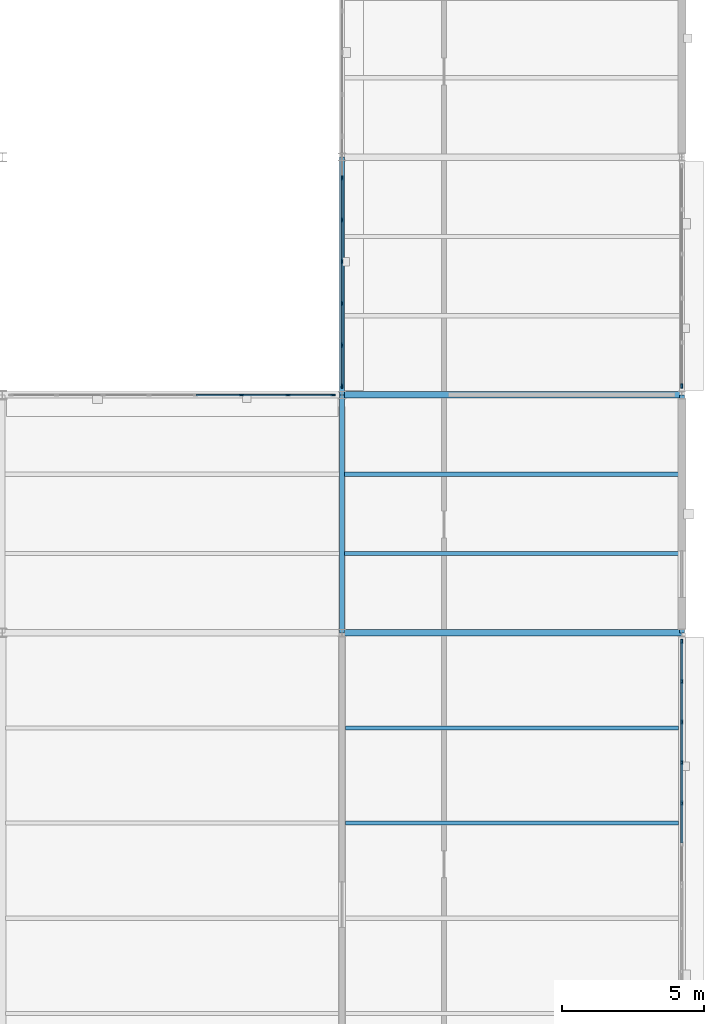
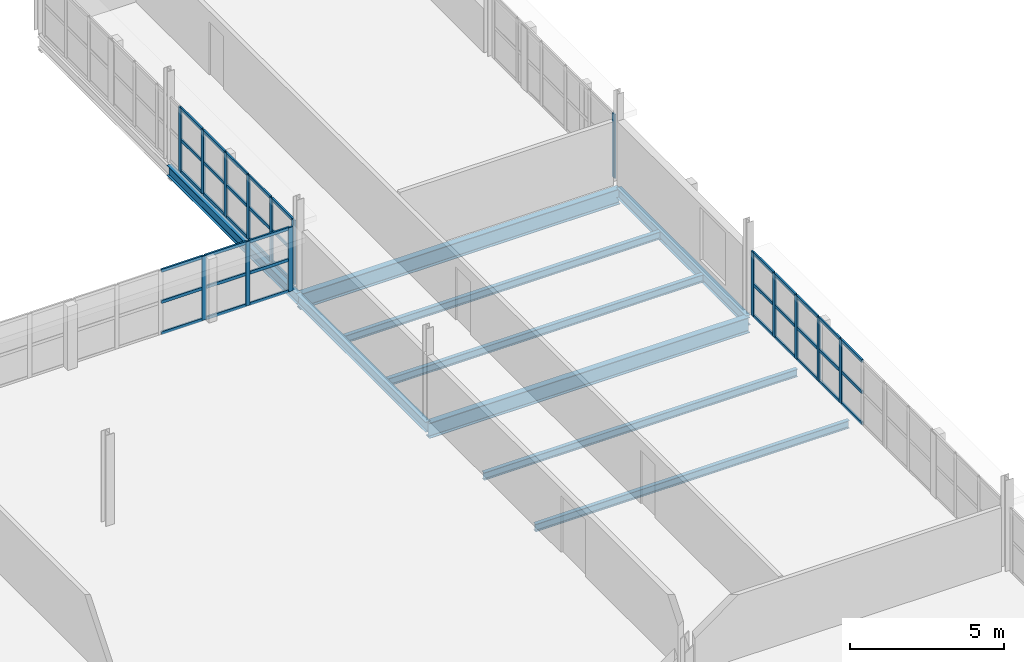
# One storey, part 43 of 79: 54 members, 9 beams, 4 elements without a shape of their own.
"""IFC4 building model written with IfcOpenShell, lengths in metres."""

from ifc_helpers import new_model, si_unit, direction, frame, origin, origin_2d, place, context, subcontext, project, spatial, rectangle, i_section, extrude, material, layer, layer_set, material_profile, profile_set, type_object, element, aggregate, save


model = new_model("IFC4")

# Units and contexts
model_context = context("Model", 3, precision=1e-05, world=origin(), true_north=direction((0.0, 1.0)))
body_context = subcontext(model_context, "Body", "Model", "MODEL_VIEW")
ifc_project = project(units=[si_unit("LENGTHUNIT", "METRE"), si_unit("AREAUNIT", "SQUARE_METRE"), si_unit("VOLUMEUNIT", "CUBIC_METRE"), si_unit("PLANEANGLEUNIT", "RADIAN"), si_unit("MASSUNIT", "GRAM", prefix="KILO"), si_unit("THERMODYNAMICTEMPERATUREUNIT", "KELVIN"), si_unit("POWERUNIT", "WATT")], contexts=[model_context])

# Site, building, storey
site_placement = place(None, origin())
site = spatial("IfcSite", under=ifc_project, at=site_placement, CompositionType="ELEMENT")
building_placement = place(site_placement, origin())
building = spatial("IfcBuilding", under=site, at=building_placement, Name="Tembeka Court Mobility Hub", CompositionType="ELEMENT")
storey_placement = place(building_placement, frame((0.0, 0.0, 9.0)))
storey = spatial("IfcBuildingStorey", under=building, at=storey_placement, Name="L02", CompositionType="ELEMENT", Elevation=9.0)

# Beams
ifc_material_1 = material(Name="Steel S355", Category="steel")
ifc_material_profile_1 = material_profile(ifc_material_1, i_section(OverallWidth=0.177978515625, OverallDepth=0.406005859375, WebThickness=0.0078125, FlangeThickness=0.0126953125, FilletRadius=0.01025390625, at=origin_2d()), Name="UKB 406x178x60")
ifc_profile_set_1 = profile_set([ifc_material_profile_1], Name="Steel S355")
beam_type_1 = type_object("IfcBeamType", Name="BM-B02", PredefinedType="BEAM", material=ifc_profile_set_1)
beam_1_placement = place(storey_placement, frame((164.39990234375, 38.39990234375, -0.39306640625), z_axis=(0.0, 1.0, 0.0), x_axis=(-1.0, 0.0, 0.0)))
element("IfcBeam", 1, at=beam_1_placement, inside=storey, type_object=beam_type_1, Name="Beam B02 (BM-L02-Y1430)", PredefinedType="BEAM", context=body_context, shape_type="SweptSolid", body=[
    extrude(i_section(OverallWidth=0.177978515625, OverallDepth=0.406005859375, WebThickness=0.0078125, FlangeThickness=0.0126953125, FilletRadius=0.01025390625, at=origin_2d()), origin(), (0.0, 0.0, 1.0), 8.400146484375),
])
beam_2_placement = place(storey_placement, frame((164.39990234375, 46.800048828125, -0.39306640625), z_axis=(0.0, 1.0, 0.0), x_axis=(-1.0, 0.0, 0.0)))
element("IfcBeam", 2, at=beam_2_placement, inside=storey, type_object=beam_type_1, Name="Beam B02 (BM-L02-Y1431)", PredefinedType="BEAM", context=body_context, shape_type="SweptSolid", body=[
    extrude(i_section(OverallWidth=0.177978515625, OverallDepth=0.406005859375, WebThickness=0.0078125, FlangeThickness=0.0126953125, FilletRadius=0.01025390625, at=origin_2d()), origin(), (0.0, 0.0, 1.0), 8.39990234375),
])
beam_3_placement = place(storey_placement, frame((176.39990234375, 38.39990234375, -0.39306640625), z_axis=(0.0, 1.0, 0.0), x_axis=(-1.0, 0.0, 0.0)))
element("IfcBeam", 3, at=beam_3_placement, inside=storey, type_object=beam_type_1, Name="Beam B02 (BM-L02-Y1436)", PredefinedType="BEAM", context=body_context, shape_type="SweptSolid", body=[
    extrude(i_section(OverallWidth=0.177978515625, OverallDepth=0.406005859375, WebThickness=0.0078125, FlangeThickness=0.0126953125, FilletRadius=0.01025390625, at=origin_2d()), origin(), (0.0, 0.0, 1.0), 8.400146484375),
])
ifc_material_profile_2 = material_profile(ifc_material_1, i_section(OverallWidth=0.22900390625, OverallDepth=0.612060546875, WebThickness=0.011962890625, FlangeThickness=0.01953125, FilletRadius=0.0126953125, at=origin_2d()), Name="UKB 610x229x125")
ifc_profile_set_2 = profile_set([ifc_material_profile_2], Name="Steel S355")
beam_type_2 = type_object("IfcBeamType", Name="BM-G02", PredefinedType="USERDEFINED", material=ifc_profile_set_2)
for number, where, z_axis, x_axis, name in (
    (4, (164.39990234375, 38.39990234375, -0.49609375), (1.0, 0.0, 0.0), (0.0, 1.0, 0.0), "Beam G02 (BM-L02-X1224)"),
    (5, (164.39990234375, 46.800048828125, -0.49609375), (1.0, 0.0, 0.0), (0.0, 1.0, 0.0), "Beam G02 (BM-L02-X1238)"),
):
    element("IfcBeam", number, at=place(storey_placement, frame(where, z_axis=z_axis, x_axis=x_axis)), inside=storey, type_object=beam_type_2, Name=name, ObjectType="GIRDER", PredefinedType="USERDEFINED", context=body_context, shape_type="SweptSolid", body=[
        extrude(i_section(OverallWidth=0.22900390625, OverallDepth=0.612060546875, WebThickness=0.011962890625, FlangeThickness=0.01953125, FilletRadius=0.0126953125, at=origin_2d()), origin(), (0.0, 0.0, 1.0), 12.0),
    ])
ifc_material_profile_3 = material_profile(ifc_material_1, i_section(OverallWidth=0.14990234375, OverallDepth=0.300048828125, WebThickness=0.007080078125, FlangeThickness=0.0107421875, FilletRadius=0.014892578125, at=origin_2d()), Name="IPE 300")
ifc_profile_set_3 = profile_set([ifc_material_profile_3], Name="Steel S355")
beam_type_3 = type_object("IfcBeamType", Name="BM-J04", PredefinedType="JOIST", material=ifc_profile_set_3)
for number, where, z_axis, x_axis, name in (
    (6, (164.52197265625, 31.679931640625, -0.340087890625), (1.0, 0.0, 0.0), (0.0, 1.0, 0.0), "Beam J04 (JST-L02-1674)"),
    (7, (164.52197265625, 35.0400390625, -0.340087890625), (1.0, 0.0, 0.0), (0.0, 1.0, 0.0), "Beam J04 (JST-L02-1675)"),
):
    element("IfcBeam", number, at=place(storey_placement, frame(where, z_axis=z_axis, x_axis=x_axis)), inside=storey, type_object=beam_type_3, Name=name, PredefinedType="JOIST", context=body_context, shape_type="SweptSolid", body=[
        extrude(i_section(OverallWidth=0.14990234375, OverallDepth=0.300048828125, WebThickness=0.007080078125, FlangeThickness=0.0107421875, FilletRadius=0.014892578125, at=origin_2d()), origin(), (0.0, 0.0, 1.0), 11.756103515625),
    ])
for number, where, z_axis, x_axis, name in (
    (8, (164.48388671875, 41.199951171875, -0.340087890625), (1.0, 0.0, 0.0), (0.0, 1.0, 0.0), "Beam J04 (JST-L02-1676)"),
    (9, (164.48388671875, 44.0, -0.340087890625), (1.0, 0.0, 0.0), (0.0, 1.0, 0.0), "Beam J04 (JST-L02-1677)"),
):
    element("IfcBeam", number, at=place(storey_placement, frame(where, z_axis=z_axis, x_axis=x_axis)), inside=storey, type_object=beam_type_3, Name=name, PredefinedType="JOIST", context=body_context, shape_type="SweptSolid", body=[
        extrude(i_section(OverallWidth=0.14990234375, OverallDepth=0.300048828125, WebThickness=0.007080078125, FlangeThickness=0.0107421875, FilletRadius=0.014892578125, at=origin_2d()), origin(), (0.0, 0.0, 1.0), 11.83203125),
    ])

# Curtain wall, members
ifc_material_2 = material(Name="Anodised aluminium 6063-T6", Category="aluminium")
ifc_layer_1 = layer(ifc_material_2, 0.159912109375)
ifc_layer_set_1 = layer_set([ifc_layer_1], Name="Anodised aluminium 6063-T6")
curtain_wall_type_1 = type_object("IfcCurtainWallType", Name="CW-SYS52", PredefinedType="USERDEFINED", material=ifc_layer_set_1)
curtain_wall_1_placement = place(storey_placement, origin())
curtain_wall_1 = element("IfcCurtainWall", 10, at=curtain_wall_1_placement, inside=storey, type_object=curtain_wall_type_1, Name="Unitised curtain wall CW52 (CW-L02-125)", ObjectType="UNITISED GLAZING", PredefinedType="USERDEFINED")
ifc_material_profile_4 = material_profile(ifc_material_2, rectangle(XDim=0.06494140625, YDim=0.159912109375, at=origin_2d()), Name="ALU-MUL 65x160")
ifc_profile_set_4 = profile_set([ifc_material_profile_4], Name="Anodised aluminium 6063-T6")
member_type_1 = type_object("IfcMemberType", Name="CW-MUL01", PredefinedType="MULLION", material=ifc_profile_set_4)
member_1_placement = place(storey_placement, frame((176.39990234375, 32.384033203125, 0.0), z_axis=(0.0, 0.0, 1.0), x_axis=(-1.0, 0.0, 0.0)))
member_1 = element("IfcMember", 11, at=member_1_placement, type_object=member_type_1, Name="CW52 mullion 3", PredefinedType="MULLION", context=body_context, shape_type="SweptSolid", body=[
    extrude(rectangle(XDim=0.06494140625, YDim=0.159912109375, at=origin_2d()), origin(), (0.0, 0.0, 1.0), 2.534912109375),
])
member_2_placement = place(storey_placement, frame((176.39990234375, 33.818115234375, 0.0), z_axis=(0.0, 0.0, 1.0), x_axis=(-1.0, 0.0, 0.0)))
member_2 = element("IfcMember", 12, at=member_2_placement, type_object=member_type_1, Name="CW52 mullion 4", PredefinedType="MULLION", context=body_context, shape_type="SweptSolid", body=[
    extrude(rectangle(XDim=0.06494140625, YDim=0.159912109375, at=origin_2d()), origin(), (0.0, 0.0, 1.0), 2.534912109375),
])
member_3_placement = place(storey_placement, frame((176.39990234375, 35.251953125, 0.0), z_axis=(0.0, 0.0, 1.0), x_axis=(-1.0, 0.0, 0.0)))
member_3 = element("IfcMember", 13, at=member_3_placement, type_object=member_type_1, Name="CW52 mullion 5", PredefinedType="MULLION", context=body_context, shape_type="SweptSolid", body=[
    extrude(rectangle(XDim=0.06494140625, YDim=0.159912109375, at=origin_2d()), origin(), (0.0, 0.0, 1.0), 2.534912109375),
])
member_4_placement = place(storey_placement, frame((176.39990234375, 36.68603515625, 0.0), z_axis=(0.0, 0.0, 1.0), x_axis=(-1.0, 0.0, 0.0)))
member_4 = element("IfcMember", 14, at=member_4_placement, type_object=member_type_1, Name="CW52 mullion 6", PredefinedType="MULLION", context=body_context, shape_type="SweptSolid", body=[
    extrude(rectangle(XDim=0.06494140625, YDim=0.159912109375, at=origin_2d()), origin(), (0.0, 0.0, 1.0), 2.534912109375),
])
member_5_placement = place(storey_placement, frame((176.39990234375, 38.08740234375, 0.0), z_axis=(0.0, 0.0, 1.0), x_axis=(-1.0, 0.0, 0.0)))
member_5 = element("IfcMember", 15, at=member_5_placement, type_object=member_type_1, Name="CW52 mullion 7", PredefinedType="MULLION", context=body_context, shape_type="SweptSolid", body=[
    extrude(rectangle(XDim=0.06494140625, YDim=0.159912109375, at=origin_2d()), origin(), (0.0, 0.0, 1.0), 2.534912109375),
])

# Curtain wall, member
ifc_layer_2 = layer(ifc_material_2, 0.159912109375)
ifc_layer_set_2 = layer_set([ifc_layer_2], Name="Anodised aluminium 6063-T6")
curtain_wall_type_2 = type_object("IfcCurtainWallType", Name="CW-SYS45", PredefinedType="USERDEFINED", material=ifc_layer_set_2)
curtain_wall_2_placement = place(storey_placement, origin())
curtain_wall_2 = element("IfcCurtainWall", 16, at=curtain_wall_2_placement, inside=storey, type_object=curtain_wall_type_2, Name="Unitised curtain wall CW45 (CW-L02-126)", ObjectType="UNITISED GLAZING", PredefinedType="USERDEFINED")
member_6_placement = place(storey_placement, frame((176.39990234375, 47.112548828125, 0.0), z_axis=(0.0, 0.0, 1.0), x_axis=(-1.0, 0.0, 0.0)))
member_6 = element("IfcMember", 17, at=member_6_placement, type_object=member_type_1, Name="CW45 mullion 1", PredefinedType="MULLION", context=body_context, shape_type="SweptSolid", body=[
    extrude(rectangle(XDim=0.06494140625, YDim=0.159912109375, at=origin_2d()), origin(), (0.0, 0.0, 1.0), 2.534912109375),
])
aggregate(curtain_wall_2, [member_6])

# Curtain wall, members
ifc_layer_3 = layer(ifc_material_2, 0.159912109375)
ifc_layer_set_3 = layer_set([ifc_layer_3], Name="Anodised aluminium 6063-T6")
curtain_wall_type_3 = type_object("IfcCurtainWallType", Name="CW-SYS46", PredefinedType="USERDEFINED", material=ifc_layer_set_3)
curtain_wall_3_placement = place(storey_placement, origin())
curtain_wall_3 = element("IfcCurtainWall", 18, at=curtain_wall_3_placement, inside=storey, type_object=curtain_wall_type_3, Name="Unitised curtain wall CW46 (CW-L02-127)", ObjectType="UNITISED GLAZING", PredefinedType="USERDEFINED")
member_7_placement = place(storey_placement, frame((164.39990234375, 47.112548828125, 0.0), z_axis=(0.0, 0.0, 1.0), x_axis=(-1.0, 0.0, 0.0)))
member_7 = element("IfcMember", 19, at=member_7_placement, type_object=member_type_1, Name="CW46 mullion 1", PredefinedType="MULLION", context=body_context, shape_type="SweptSolid", body=[
    extrude(rectangle(XDim=0.06494140625, YDim=0.159912109375, at=origin_2d()), origin(), (0.0, 0.0, 1.0), 2.534912109375),
])
member_8_placement = place(storey_placement, frame((164.39990234375, 48.556396484375, 0.0), z_axis=(0.0, 0.0, 1.0), x_axis=(-1.0, 0.0, 0.0)))
member_8 = element("IfcMember", 20, at=member_8_placement, type_object=member_type_1, Name="CW46 mullion 2", PredefinedType="MULLION", context=body_context, shape_type="SweptSolid", body=[
    extrude(rectangle(XDim=0.06494140625, YDim=0.159912109375, at=origin_2d()), origin(), (0.0, 0.0, 1.0), 2.534912109375),
])
member_9_placement = place(storey_placement, frame((164.39990234375, 50.03271484375, 0.0), z_axis=(0.0, 0.0, 1.0), x_axis=(-1.0, 0.0, 0.0)))
member_9 = element("IfcMember", 21, at=member_9_placement, type_object=member_type_1, Name="CW46 mullion 3", PredefinedType="MULLION", context=body_context, shape_type="SweptSolid", body=[
    extrude(rectangle(XDim=0.06494140625, YDim=0.159912109375, at=origin_2d()), origin(), (0.0, 0.0, 1.0), 2.534912109375),
])
member_10_placement = place(storey_placement, frame((164.39990234375, 51.509033203125, 0.0), z_axis=(0.0, 0.0, 1.0), x_axis=(-1.0, 0.0, 0.0)))
member_10 = element("IfcMember", 22, at=member_10_placement, type_object=member_type_1, Name="CW46 mullion 4", PredefinedType="MULLION", context=body_context, shape_type="SweptSolid", body=[
    extrude(rectangle(XDim=0.06494140625, YDim=0.159912109375, at=origin_2d()), origin(), (0.0, 0.0, 1.0), 2.534912109375),
])
member_11_placement = place(storey_placement, frame((164.39990234375, 52.9853515625, 0.0), z_axis=(0.0, 0.0, 1.0), x_axis=(-1.0, 0.0, 0.0)))
member_11 = element("IfcMember", 23, at=member_11_placement, type_object=member_type_1, Name="CW46 mullion 5", PredefinedType="MULLION", context=body_context, shape_type="SweptSolid", body=[
    extrude(rectangle(XDim=0.06494140625, YDim=0.159912109375, at=origin_2d()), origin(), (0.0, 0.0, 1.0), 2.534912109375),
])
member_12_placement = place(storey_placement, frame((164.39990234375, 54.4619140625, 0.0), z_axis=(0.0, 0.0, 1.0), x_axis=(-1.0, 0.0, 0.0)))
member_12 = element("IfcMember", 24, at=member_12_placement, type_object=member_type_1, Name="CW46 mullion 6", PredefinedType="MULLION", context=body_context, shape_type="SweptSolid", body=[
    extrude(rectangle(XDim=0.06494140625, YDim=0.159912109375, at=origin_2d()), origin(), (0.0, 0.0, 1.0), 2.534912109375),
])

ifc_layer_4 = layer(ifc_material_2, 0.159912109375)
ifc_layer_set_4 = layer_set([ifc_layer_4], Name="Anodised aluminium 6063-T6")
curtain_wall_type_4 = type_object("IfcCurtainWallType", Name="CW-SYS41", PredefinedType="USERDEFINED", material=ifc_layer_set_4)
curtain_wall_4_placement = place(storey_placement, origin())
curtain_wall_4 = element("IfcCurtainWall", 25, at=curtain_wall_4_placement, inside=storey, type_object=curtain_wall_type_4, Name="Unitised curtain wall CW41 (CW-L02-129)", ObjectType="UNITISED GLAZING", PredefinedType="USERDEFINED")
member_13_placement = place(storey_placement, frame((160.851318359375, 46.800048828125, 0.0), z_axis=(0.0, 0.0, 1.0), x_axis=(0.0, 1.0, 0.0)))
member_13 = element("IfcMember", 26, at=member_13_placement, type_object=member_type_1, Name="CW41 mullion 6", PredefinedType="MULLION", context=body_context, shape_type="SweptSolid", body=[
    extrude(rectangle(XDim=0.06494140625, YDim=0.159912109375, at=origin_2d()), origin(), (0.0, 0.0, 1.0), 2.534912109375),
])
member_14_placement = place(storey_placement, frame((162.485595703125, 46.800048828125, 0.0), z_axis=(0.0, 0.0, 1.0), x_axis=(0.0, 1.0, 0.0)))
member_14 = element("IfcMember", 27, at=member_14_placement, type_object=member_type_1, Name="CW41 mullion 7", PredefinedType="MULLION", context=body_context, shape_type="SweptSolid", body=[
    extrude(rectangle(XDim=0.06494140625, YDim=0.159912109375, at=origin_2d()), origin(), (0.0, 0.0, 1.0), 2.534912109375),
])
member_15_placement = place(storey_placement, frame((164.08740234375, 46.800048828125, 0.0), z_axis=(0.0, 0.0, 1.0), x_axis=(0.0, 1.0, 0.0)))
member_15 = element("IfcMember", 28, at=member_15_placement, type_object=member_type_1, Name="CW41 mullion 8", PredefinedType="MULLION", context=body_context, shape_type="SweptSolid", body=[
    extrude(rectangle(XDim=0.06494140625, YDim=0.159912109375, at=origin_2d()), origin(), (0.0, 0.0, 1.0), 2.534912109375),
])

# Member
ifc_material_profile_5 = material_profile(ifc_material_2, rectangle(XDim=0.06494140625, YDim=0.1201171875, at=origin_2d()), Name="ALU-TRN 65x120")
ifc_profile_set_5 = profile_set([ifc_material_profile_5], Name="Anodised aluminium 6063-T6")
member_type_2 = type_object("IfcMemberType", Name="CW-TRN01", PredefinedType="USERDEFINED", material=ifc_profile_set_5)
member_16_placement = place(storey_placement, frame((176.39990234375, 30.982421875, 0.032470703125), z_axis=(0.0, 1.0, 0.0), x_axis=(-1.0, 0.0, 0.0)))
member_16 = element("IfcMember", 29, at=member_16_placement, type_object=member_type_2, Name="CW52 transom 2.1", ObjectType="TRANSOM", PredefinedType="USERDEFINED", context=body_context, shape_type="SweptSolid", body=[
    extrude(rectangle(XDim=0.06494140625, YDim=0.1201171875, at=origin_2d()), origin(), (0.0, 0.0, 1.0), 1.369140625),
])

member_17_placement = place(storey_placement, frame((176.39990234375, 30.982421875, 1.267578125), z_axis=(0.0, 1.0, 0.0), x_axis=(-1.0, 0.0, 0.0)))
member_17 = element("IfcMember", 30, at=member_17_placement, type_object=member_type_2, Name="CW52 transom 2.2", ObjectType="TRANSOM", PredefinedType="USERDEFINED", context=body_context, shape_type="SweptSolid", body=[
    extrude(rectangle(XDim=0.06494140625, YDim=0.1201171875, at=origin_2d()), origin(), (0.0, 0.0, 1.0), 1.369140625),
])

member_18_placement = place(storey_placement, frame((176.39990234375, 30.982421875, 2.50244140625), z_axis=(0.0, 1.0, 0.0), x_axis=(-1.0, 0.0, 0.0)))
member_18 = element("IfcMember", 31, at=member_18_placement, type_object=member_type_2, Name="CW52 transom 2.3", ObjectType="TRANSOM", PredefinedType="USERDEFINED", context=body_context, shape_type="SweptSolid", body=[
    extrude(rectangle(XDim=0.06494140625, YDim=0.1201171875, at=origin_2d()), origin(), (0.0, 0.0, 1.0), 1.369140625),
])

member_19_placement = place(storey_placement, frame((176.39990234375, 32.41650390625, 0.032470703125), z_axis=(0.0, 1.0, 0.0), x_axis=(-1.0, 0.0, 0.0)))
member_19 = element("IfcMember", 32, at=member_19_placement, type_object=member_type_2, Name="CW52 transom 3.1", ObjectType="TRANSOM", PredefinedType="USERDEFINED", context=body_context, shape_type="SweptSolid", body=[
    extrude(rectangle(XDim=0.06494140625, YDim=0.1201171875, at=origin_2d()), origin(), (0.0, 0.0, 1.0), 1.368896484375),
])

member_20_placement = place(storey_placement, frame((176.39990234375, 32.41650390625, 1.267578125), z_axis=(0.0, 1.0, 0.0), x_axis=(-1.0, 0.0, 0.0)))
member_20 = element("IfcMember", 33, at=member_20_placement, type_object=member_type_2, Name="CW52 transom 3.2", ObjectType="TRANSOM", PredefinedType="USERDEFINED", context=body_context, shape_type="SweptSolid", body=[
    extrude(rectangle(XDim=0.06494140625, YDim=0.1201171875, at=origin_2d()), origin(), (0.0, 0.0, 1.0), 1.368896484375),
])

member_21_placement = place(storey_placement, frame((176.39990234375, 32.41650390625, 2.50244140625), z_axis=(0.0, 1.0, 0.0), x_axis=(-1.0, 0.0, 0.0)))
member_21 = element("IfcMember", 34, at=member_21_placement, type_object=member_type_2, Name="CW52 transom 3.3", ObjectType="TRANSOM", PredefinedType="USERDEFINED", context=body_context, shape_type="SweptSolid", body=[
    extrude(rectangle(XDim=0.06494140625, YDim=0.1201171875, at=origin_2d()), origin(), (0.0, 0.0, 1.0), 1.368896484375),
])

member_22_placement = place(storey_placement, frame((176.39990234375, 33.8505859375, 0.032470703125), z_axis=(0.0, 1.0, 0.0), x_axis=(-1.0, 0.0, 0.0)))
member_22 = element("IfcMember", 35, at=member_22_placement, type_object=member_type_2, Name="CW52 transom 4.1", ObjectType="TRANSOM", PredefinedType="USERDEFINED", context=body_context, shape_type="SweptSolid", body=[
    extrude(rectangle(XDim=0.06494140625, YDim=0.1201171875, at=origin_2d()), origin(), (0.0, 0.0, 1.0), 1.368896484375),
])

member_23_placement = place(storey_placement, frame((176.39990234375, 33.8505859375, 1.267578125), z_axis=(0.0, 1.0, 0.0), x_axis=(-1.0, 0.0, 0.0)))
member_23 = element("IfcMember", 36, at=member_23_placement, type_object=member_type_2, Name="CW52 transom 4.2", ObjectType="TRANSOM", PredefinedType="USERDEFINED", context=body_context, shape_type="SweptSolid", body=[
    extrude(rectangle(XDim=0.06494140625, YDim=0.1201171875, at=origin_2d()), origin(), (0.0, 0.0, 1.0), 1.368896484375),
])

member_24_placement = place(storey_placement, frame((176.39990234375, 33.8505859375, 2.50244140625), z_axis=(0.0, 1.0, 0.0), x_axis=(-1.0, 0.0, 0.0)))
member_24 = element("IfcMember", 37, at=member_24_placement, type_object=member_type_2, Name="CW52 transom 4.3", ObjectType="TRANSOM", PredefinedType="USERDEFINED", context=body_context, shape_type="SweptSolid", body=[
    extrude(rectangle(XDim=0.06494140625, YDim=0.1201171875, at=origin_2d()), origin(), (0.0, 0.0, 1.0), 1.368896484375),
])

member_25_placement = place(storey_placement, frame((176.39990234375, 35.284423828125, 0.032470703125), z_axis=(0.0, 1.0, 0.0), x_axis=(-1.0, 0.0, 0.0)))
member_25 = element("IfcMember", 38, at=member_25_placement, type_object=member_type_2, Name="CW52 transom 5.1", ObjectType="TRANSOM", PredefinedType="USERDEFINED", context=body_context, shape_type="SweptSolid", body=[
    extrude(rectangle(XDim=0.06494140625, YDim=0.1201171875, at=origin_2d()), origin(), (0.0, 0.0, 1.0), 1.369140625),
])

member_26_placement = place(storey_placement, frame((176.39990234375, 35.284423828125, 1.267578125), z_axis=(0.0, 1.0, 0.0), x_axis=(-1.0, 0.0, 0.0)))
member_26 = element("IfcMember", 39, at=member_26_placement, type_object=member_type_2, Name="CW52 transom 5.2", ObjectType="TRANSOM", PredefinedType="USERDEFINED", context=body_context, shape_type="SweptSolid", body=[
    extrude(rectangle(XDim=0.06494140625, YDim=0.1201171875, at=origin_2d()), origin(), (0.0, 0.0, 1.0), 1.369140625),
])

member_27_placement = place(storey_placement, frame((176.39990234375, 35.284423828125, 2.50244140625), z_axis=(0.0, 1.0, 0.0), x_axis=(-1.0, 0.0, 0.0)))
member_27 = element("IfcMember", 40, at=member_27_placement, type_object=member_type_2, Name="CW52 transom 5.3", ObjectType="TRANSOM", PredefinedType="USERDEFINED", context=body_context, shape_type="SweptSolid", body=[
    extrude(rectangle(XDim=0.06494140625, YDim=0.1201171875, at=origin_2d()), origin(), (0.0, 0.0, 1.0), 1.369140625),
])

member_28_placement = place(storey_placement, frame((176.39990234375, 36.718505859375, 0.032470703125), z_axis=(0.0, 1.0, 0.0), x_axis=(-1.0, 0.0, 0.0)))
member_28 = element("IfcMember", 41, at=member_28_placement, type_object=member_type_2, Name="CW52 transom 6.1", ObjectType="TRANSOM", PredefinedType="USERDEFINED", context=body_context, shape_type="SweptSolid", body=[
    extrude(rectangle(XDim=0.06494140625, YDim=0.1201171875, at=origin_2d()), origin(), (0.0, 0.0, 1.0), 1.33642578125),
])

member_29_placement = place(storey_placement, frame((176.39990234375, 36.718505859375, 1.267578125), z_axis=(0.0, 1.0, 0.0), x_axis=(-1.0, 0.0, 0.0)))
member_29 = element("IfcMember", 42, at=member_29_placement, type_object=member_type_2, Name="CW52 transom 6.2", ObjectType="TRANSOM", PredefinedType="USERDEFINED", context=body_context, shape_type="SweptSolid", body=[
    extrude(rectangle(XDim=0.06494140625, YDim=0.1201171875, at=origin_2d()), origin(), (0.0, 0.0, 1.0), 1.33642578125),
])

member_30_placement = place(storey_placement, frame((176.39990234375, 36.718505859375, 2.50244140625), z_axis=(0.0, 1.0, 0.0), x_axis=(-1.0, 0.0, 0.0)))
member_30 = element("IfcMember", 43, at=member_30_placement, type_object=member_type_2, Name="CW52 transom 6.3", ObjectType="TRANSOM", PredefinedType="USERDEFINED", context=body_context, shape_type="SweptSolid", body=[
    extrude(rectangle(XDim=0.06494140625, YDim=0.1201171875, at=origin_2d()), origin(), (0.0, 0.0, 1.0), 1.33642578125),
])

aggregate(curtain_wall_1, [member_1, member_2, member_3, member_4, member_5, member_16, member_17, member_18, member_19, member_20, member_21, member_22, member_23, member_24, member_25, member_26, member_27, member_28, member_29, member_30])

member_31_placement = place(storey_placement, frame((164.39990234375, 47.14501953125, 0.032470703125), z_axis=(0.0, 1.0, 0.0), x_axis=(-1.0, 0.0, 0.0)))
member_31 = element("IfcMember", 44, at=member_31_placement, type_object=member_type_2, Name="CW46 transom 1.1", ObjectType="TRANSOM", PredefinedType="USERDEFINED", context=body_context, shape_type="SweptSolid", body=[
    extrude(rectangle(XDim=0.06494140625, YDim=0.1201171875, at=origin_2d()), origin(), (0.0, 0.0, 1.0), 1.37890625),
])

member_32_placement = place(storey_placement, frame((164.39990234375, 47.14501953125, 1.267578125), z_axis=(0.0, 1.0, 0.0), x_axis=(-1.0, 0.0, 0.0)))
member_32 = element("IfcMember", 45, at=member_32_placement, type_object=member_type_2, Name="CW46 transom 1.2", ObjectType="TRANSOM", PredefinedType="USERDEFINED", context=body_context, shape_type="SweptSolid", body=[
    extrude(rectangle(XDim=0.06494140625, YDim=0.1201171875, at=origin_2d()), origin(), (0.0, 0.0, 1.0), 1.37890625),
])

member_33_placement = place(storey_placement, frame((164.39990234375, 47.14501953125, 2.50244140625), z_axis=(0.0, 1.0, 0.0), x_axis=(-1.0, 0.0, 0.0)))
member_33 = element("IfcMember", 46, at=member_33_placement, type_object=member_type_2, Name="CW46 transom 1.3", ObjectType="TRANSOM", PredefinedType="USERDEFINED", context=body_context, shape_type="SweptSolid", body=[
    extrude(rectangle(XDim=0.06494140625, YDim=0.1201171875, at=origin_2d()), origin(), (0.0, 0.0, 1.0), 1.37890625),
])

member_34_placement = place(storey_placement, frame((164.39990234375, 48.5888671875, 0.032470703125), z_axis=(0.0, 1.0, 0.0), x_axis=(-1.0, 0.0, 0.0)))
member_34 = element("IfcMember", 47, at=member_34_placement, type_object=member_type_2, Name="CW46 transom 2.1", ObjectType="TRANSOM", PredefinedType="USERDEFINED", context=body_context, shape_type="SweptSolid", body=[
    extrude(rectangle(XDim=0.06494140625, YDim=0.1201171875, at=origin_2d()), origin(), (0.0, 0.0, 1.0), 1.411376953125),
])

member_35_placement = place(storey_placement, frame((164.39990234375, 48.5888671875, 1.267578125), z_axis=(0.0, 1.0, 0.0), x_axis=(-1.0, 0.0, 0.0)))
member_35 = element("IfcMember", 48, at=member_35_placement, type_object=member_type_2, Name="CW46 transom 2.2", ObjectType="TRANSOM", PredefinedType="USERDEFINED", context=body_context, shape_type="SweptSolid", body=[
    extrude(rectangle(XDim=0.06494140625, YDim=0.1201171875, at=origin_2d()), origin(), (0.0, 0.0, 1.0), 1.411376953125),
])

member_36_placement = place(storey_placement, frame((164.39990234375, 48.5888671875, 2.50244140625), z_axis=(0.0, 1.0, 0.0), x_axis=(-1.0, 0.0, 0.0)))
member_36 = element("IfcMember", 49, at=member_36_placement, type_object=member_type_2, Name="CW46 transom 2.3", ObjectType="TRANSOM", PredefinedType="USERDEFINED", context=body_context, shape_type="SweptSolid", body=[
    extrude(rectangle(XDim=0.06494140625, YDim=0.1201171875, at=origin_2d()), origin(), (0.0, 0.0, 1.0), 1.411376953125),
])

member_37_placement = place(storey_placement, frame((164.39990234375, 50.065185546875, 0.032470703125), z_axis=(0.0, 1.0, 0.0), x_axis=(-1.0, 0.0, 0.0)))
member_37 = element("IfcMember", 50, at=member_37_placement, type_object=member_type_2, Name="CW46 transom 3.1", ObjectType="TRANSOM", PredefinedType="USERDEFINED", context=body_context, shape_type="SweptSolid", body=[
    extrude(rectangle(XDim=0.06494140625, YDim=0.1201171875, at=origin_2d()), origin(), (0.0, 0.0, 1.0), 1.411376953125),
])

member_38_placement = place(storey_placement, frame((164.39990234375, 50.065185546875, 1.267578125), z_axis=(0.0, 1.0, 0.0), x_axis=(-1.0, 0.0, 0.0)))
member_38 = element("IfcMember", 51, at=member_38_placement, type_object=member_type_2, Name="CW46 transom 3.2", ObjectType="TRANSOM", PredefinedType="USERDEFINED", context=body_context, shape_type="SweptSolid", body=[
    extrude(rectangle(XDim=0.06494140625, YDim=0.1201171875, at=origin_2d()), origin(), (0.0, 0.0, 1.0), 1.411376953125),
])

member_39_placement = place(storey_placement, frame((164.39990234375, 50.065185546875, 2.50244140625), z_axis=(0.0, 1.0, 0.0), x_axis=(-1.0, 0.0, 0.0)))
member_39 = element("IfcMember", 52, at=member_39_placement, type_object=member_type_2, Name="CW46 transom 3.3", ObjectType="TRANSOM", PredefinedType="USERDEFINED", context=body_context, shape_type="SweptSolid", body=[
    extrude(rectangle(XDim=0.06494140625, YDim=0.1201171875, at=origin_2d()), origin(), (0.0, 0.0, 1.0), 1.411376953125),
])

member_40_placement = place(storey_placement, frame((164.39990234375, 51.54150390625, 0.032470703125), z_axis=(0.0, 1.0, 0.0), x_axis=(-1.0, 0.0, 0.0)))
member_40 = element("IfcMember", 53, at=member_40_placement, type_object=member_type_2, Name="CW46 transom 4.1", ObjectType="TRANSOM", PredefinedType="USERDEFINED", context=body_context, shape_type="SweptSolid", body=[
    extrude(rectangle(XDim=0.06494140625, YDim=0.1201171875, at=origin_2d()), origin(), (0.0, 0.0, 1.0), 1.411376953125),
])

member_41_placement = place(storey_placement, frame((164.39990234375, 51.54150390625, 1.267578125), z_axis=(0.0, 1.0, 0.0), x_axis=(-1.0, 0.0, 0.0)))
member_41 = element("IfcMember", 54, at=member_41_placement, type_object=member_type_2, Name="CW46 transom 4.2", ObjectType="TRANSOM", PredefinedType="USERDEFINED", context=body_context, shape_type="SweptSolid", body=[
    extrude(rectangle(XDim=0.06494140625, YDim=0.1201171875, at=origin_2d()), origin(), (0.0, 0.0, 1.0), 1.411376953125),
])

member_42_placement = place(storey_placement, frame((164.39990234375, 51.54150390625, 2.50244140625), z_axis=(0.0, 1.0, 0.0), x_axis=(-1.0, 0.0, 0.0)))
member_42 = element("IfcMember", 55, at=member_42_placement, type_object=member_type_2, Name="CW46 transom 4.3", ObjectType="TRANSOM", PredefinedType="USERDEFINED", context=body_context, shape_type="SweptSolid", body=[
    extrude(rectangle(XDim=0.06494140625, YDim=0.1201171875, at=origin_2d()), origin(), (0.0, 0.0, 1.0), 1.411376953125),
])

member_43_placement = place(storey_placement, frame((164.39990234375, 53.01806640625, 0.032470703125), z_axis=(0.0, 1.0, 0.0), x_axis=(-1.0, 0.0, 0.0)))
member_43 = element("IfcMember", 56, at=member_43_placement, type_object=member_type_2, Name="CW46 transom 5.1", ObjectType="TRANSOM", PredefinedType="USERDEFINED", context=body_context, shape_type="SweptSolid", body=[
    extrude(rectangle(XDim=0.06494140625, YDim=0.1201171875, at=origin_2d()), origin(), (0.0, 0.0, 1.0), 1.4111328125),
])

member_44_placement = place(storey_placement, frame((164.39990234375, 53.01806640625, 1.267578125), z_axis=(0.0, 1.0, 0.0), x_axis=(-1.0, 0.0, 0.0)))
member_44 = element("IfcMember", 57, at=member_44_placement, type_object=member_type_2, Name="CW46 transom 5.2", ObjectType="TRANSOM", PredefinedType="USERDEFINED", context=body_context, shape_type="SweptSolid", body=[
    extrude(rectangle(XDim=0.06494140625, YDim=0.1201171875, at=origin_2d()), origin(), (0.0, 0.0, 1.0), 1.4111328125),
])

member_45_placement = place(storey_placement, frame((164.39990234375, 53.01806640625, 2.50244140625), z_axis=(0.0, 1.0, 0.0), x_axis=(-1.0, 0.0, 0.0)))
member_45 = element("IfcMember", 58, at=member_45_placement, type_object=member_type_2, Name="CW46 transom 5.3", ObjectType="TRANSOM", PredefinedType="USERDEFINED", context=body_context, shape_type="SweptSolid", body=[
    extrude(rectangle(XDim=0.06494140625, YDim=0.1201171875, at=origin_2d()), origin(), (0.0, 0.0, 1.0), 1.4111328125),
])

aggregate(curtain_wall_3, [member_7, member_8, member_9, member_10, member_11, member_12, member_31, member_32, member_33, member_34, member_35, member_36, member_37, member_38, member_39, member_40, member_41, member_42, member_43, member_44, member_45])

member_46_placement = place(storey_placement, frame((159.249755859375, 46.800048828125, 0.032470703125), z_axis=(1.0, 0.0, 0.0), x_axis=(0.0, 1.0, 0.0)))
member_46 = element("IfcMember", 59, at=member_46_placement, type_object=member_type_2, Name="CW41 transom 5.1", ObjectType="TRANSOM", PredefinedType="USERDEFINED", context=body_context, shape_type="SweptSolid", body=[
    extrude(rectangle(XDim=0.06494140625, YDim=0.1201171875, at=origin_2d()), origin(), (0.0, 0.0, 1.0), 1.569091796875),
])

member_47_placement = place(storey_placement, frame((159.249755859375, 46.800048828125, 1.267578125), z_axis=(1.0, 0.0, 0.0), x_axis=(0.0, 1.0, 0.0)))
member_47 = element("IfcMember", 60, at=member_47_placement, type_object=member_type_2, Name="CW41 transom 5.2", ObjectType="TRANSOM", PredefinedType="USERDEFINED", context=body_context, shape_type="SweptSolid", body=[
    extrude(rectangle(XDim=0.06494140625, YDim=0.1201171875, at=origin_2d()), origin(), (0.0, 0.0, 1.0), 1.569091796875),
])

member_48_placement = place(storey_placement, frame((159.249755859375, 46.800048828125, 2.50244140625), z_axis=(1.0, 0.0, 0.0), x_axis=(0.0, 1.0, 0.0)))
member_48 = element("IfcMember", 61, at=member_48_placement, type_object=member_type_2, Name="CW41 transom 5.3", ObjectType="TRANSOM", PredefinedType="USERDEFINED", context=body_context, shape_type="SweptSolid", body=[
    extrude(rectangle(XDim=0.06494140625, YDim=0.1201171875, at=origin_2d()), origin(), (0.0, 0.0, 1.0), 1.569091796875),
])

member_49_placement = place(storey_placement, frame((160.884033203125, 46.800048828125, 0.032470703125), z_axis=(1.0, 0.0, 0.0), x_axis=(0.0, 1.0, 0.0)))
member_49 = element("IfcMember", 62, at=member_49_placement, type_object=member_type_2, Name="CW41 transom 6.1", ObjectType="TRANSOM", PredefinedType="USERDEFINED", context=body_context, shape_type="SweptSolid", body=[
    extrude(rectangle(XDim=0.06494140625, YDim=0.1201171875, at=origin_2d()), origin(), (0.0, 0.0, 1.0), 1.569091796875),
])

member_50_placement = place(storey_placement, frame((160.884033203125, 46.800048828125, 1.267578125), z_axis=(1.0, 0.0, 0.0), x_axis=(0.0, 1.0, 0.0)))
member_50 = element("IfcMember", 63, at=member_50_placement, type_object=member_type_2, Name="CW41 transom 6.2", ObjectType="TRANSOM", PredefinedType="USERDEFINED", context=body_context, shape_type="SweptSolid", body=[
    extrude(rectangle(XDim=0.06494140625, YDim=0.1201171875, at=origin_2d()), origin(), (0.0, 0.0, 1.0), 1.569091796875),
])

member_51_placement = place(storey_placement, frame((160.884033203125, 46.800048828125, 2.50244140625), z_axis=(1.0, 0.0, 0.0), x_axis=(0.0, 1.0, 0.0)))
member_51 = element("IfcMember", 64, at=member_51_placement, type_object=member_type_2, Name="CW41 transom 6.3", ObjectType="TRANSOM", PredefinedType="USERDEFINED", context=body_context, shape_type="SweptSolid", body=[
    extrude(rectangle(XDim=0.06494140625, YDim=0.1201171875, at=origin_2d()), origin(), (0.0, 0.0, 1.0), 1.569091796875),
])

member_52_placement = place(storey_placement, frame((162.518310546875, 46.800048828125, 0.032470703125), z_axis=(1.0, 0.0, 0.0), x_axis=(0.0, 1.0, 0.0)))
member_52 = element("IfcMember", 65, at=member_52_placement, type_object=member_type_2, Name="CW41 transom 7.1", ObjectType="TRANSOM", PredefinedType="USERDEFINED", context=body_context, shape_type="SweptSolid", body=[
    extrude(rectangle(XDim=0.06494140625, YDim=0.1201171875, at=origin_2d()), origin(), (0.0, 0.0, 1.0), 1.53662109375),
])

member_53_placement = place(storey_placement, frame((162.518310546875, 46.800048828125, 1.267578125), z_axis=(1.0, 0.0, 0.0), x_axis=(0.0, 1.0, 0.0)))
member_53 = element("IfcMember", 66, at=member_53_placement, type_object=member_type_2, Name="CW41 transom 7.2", ObjectType="TRANSOM", PredefinedType="USERDEFINED", context=body_context, shape_type="SweptSolid", body=[
    extrude(rectangle(XDim=0.06494140625, YDim=0.1201171875, at=origin_2d()), origin(), (0.0, 0.0, 1.0), 1.53662109375),
])

member_54_placement = place(storey_placement, frame((162.518310546875, 46.800048828125, 2.50244140625), z_axis=(1.0, 0.0, 0.0), x_axis=(0.0, 1.0, 0.0)))
member_54 = element("IfcMember", 67, at=member_54_placement, type_object=member_type_2, Name="CW41 transom 7.3", ObjectType="TRANSOM", PredefinedType="USERDEFINED", context=body_context, shape_type="SweptSolid", body=[
    extrude(rectangle(XDim=0.06494140625, YDim=0.1201171875, at=origin_2d()), origin(), (0.0, 0.0, 1.0), 1.53662109375),
])

aggregate(curtain_wall_4, [member_13, member_14, member_15, member_46, member_47, member_48, member_49, member_50, member_51, member_52, member_53, member_54])

save(model, "model.ifc")
